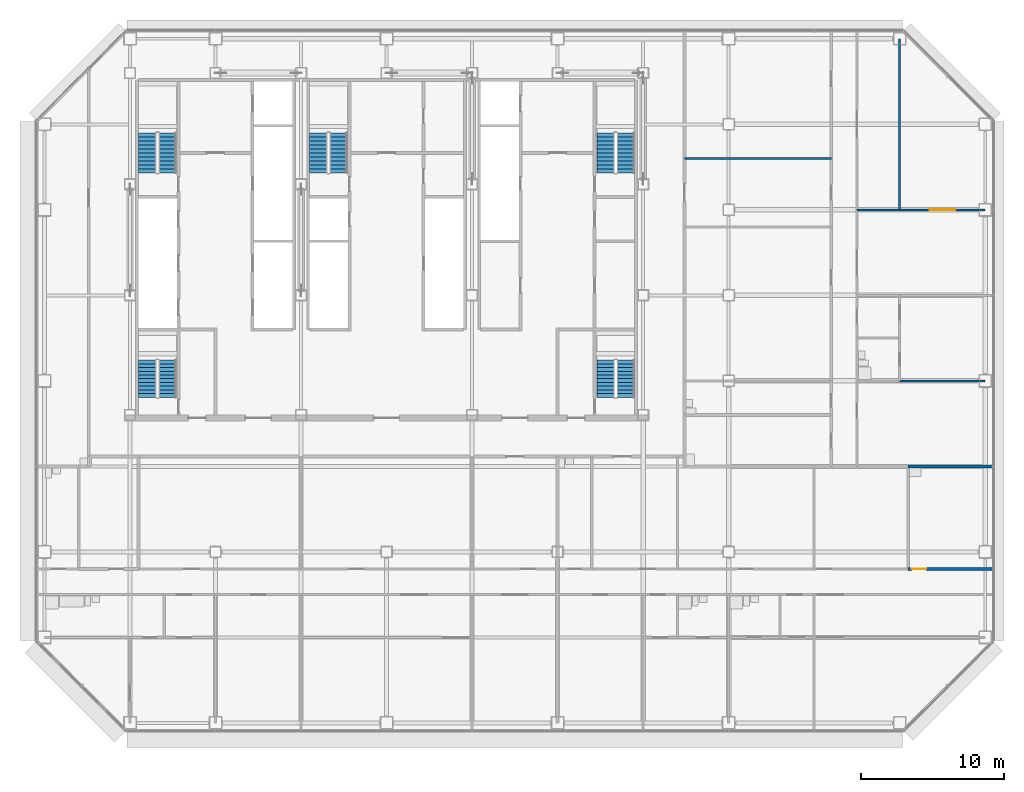
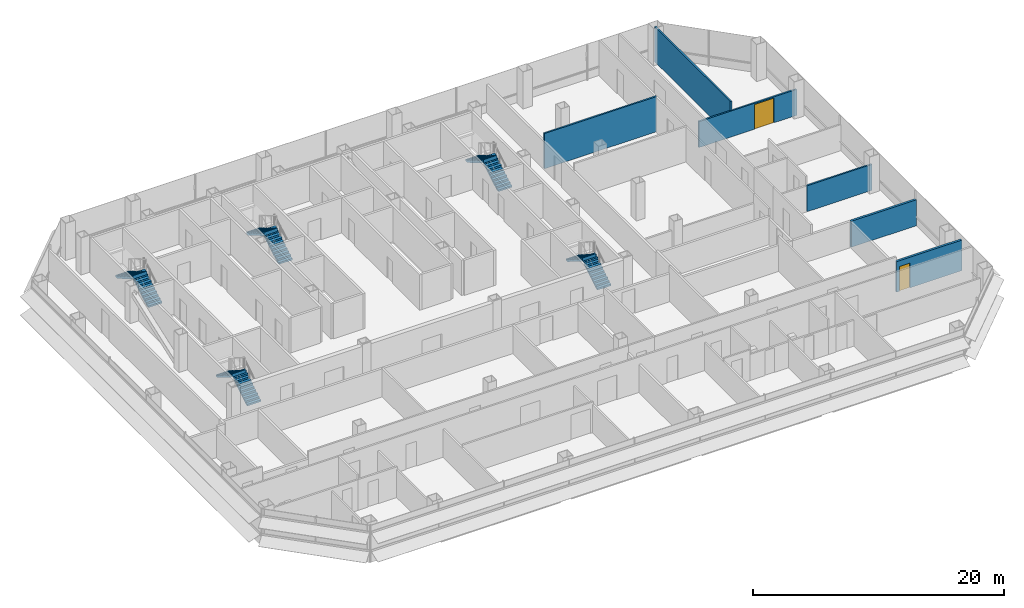
# One storey, part 24 of 27: 10 stair flights, 6 walls, 2 doors, 2 openings, 5 elements without a shape of their own.
"""IFC4 building model written with IfcOpenShell, lengths in metres."""

import ifcopenshell
import ifcopenshell.guid

model = None  # the IFC model being written
_history = None  # IfcOwnerHistory: only IFC2X3 demands one
_inside = {}  # id of a spatial element -> (the spatial element, [elements in it])
_under = {}  # id of a project, library or spatial element -> (it, [spatial elements below it])
_declared = {}  # id of a project -> (the project, [libraries it declares])
_typed = {}  # id of a type object -> (the type object, [elements of that type])
_made_of = {}  # id of a material, layer set ... -> (it, [elements and type objects made of it])


def new_model(schema):
    """Start an empty IFC model of exactly this schema.

    Asked for "IFC4X3", IfcOpenShell would pick the latest addendum, in which some entities
    have other attributes; the version numbers below select the first issue.
    IFC2X3 requires an IfcOwnerHistory on every rooted entity: one is made here for all.
    """
    global model, _history
    if schema == "IFC4X3":
        model = ifcopenshell.file(schema_version=(4, 3, 0, 0))
    else:
        model = ifcopenshell.file(schema=schema)
    _inside.clear()
    _under.clear()
    _declared.clear()
    _typed.clear()
    _made_of.clear()
    _history = None
    if model.schema == "IFC2X3":
        org = make("IfcOrganization", Name="unknown")
        user = make(
            "IfcPersonAndOrganization",
            ThePerson=make("IfcPerson", FamilyName="unknown"),
            TheOrganization=org,
        )
        app = make(
            "IfcApplication",
            ApplicationDeveloper=org,
            Version="unknown",
            ApplicationFullName="unknown",
            ApplicationIdentifier="unknown",
        )
        _history = make(
            "IfcOwnerHistory",
            OwningUser=user,
            OwningApplication=app,
            ChangeAction="ADDED",
            CreationDate=0,
        )
    return model


def make(cls, **values):
    """One entity of the class cls with the attributes given. An attribute that is None is left unset."""
    return model.create_entity(
        cls, **{name: value for name, value in values.items() if value is not None}
    )


def rooted(cls, **values):
    """An entity with a GlobalId (a new one), such as an element, a storey or a relation."""
    return make(cls, GlobalId=ifcopenshell.guid.new(), OwnerHistory=_history, **values)


def si_unit(unit_type, name, prefix=None):
    """IfcSIUnit, for example si_unit("LENGTHUNIT", "METRE", prefix="MILLI")."""
    return make("IfcSIUnit", UnitType=unit_type, Prefix=prefix, Name=name)


def assignment(units):
    """IfcUnitAssignment: the units of a project."""
    return None if units is None else make("IfcUnitAssignment", Units=units)


def point(xyz):
    """IfcCartesianPoint."""
    return None if xyz is None else make("IfcCartesianPoint", Coordinates=xyz)


def direction(xyz):
    """IfcDirection."""
    return None if xyz is None else make("IfcDirection", DirectionRatios=xyz)


def frame(location, z_axis=None, x_axis=None):
    """IfcAxis2Placement3D, a coordinate frame: its origin and axes. An axis left out is left unset."""
    return make(
        "IfcAxis2Placement3D",
        Location=point(location),
        Axis=direction(z_axis),
        RefDirection=direction(x_axis),
    )


def frame_2d(location, x_axis=None):
    """IfcAxis2Placement2D, a coordinate frame in the plane: its origin and x axis."""
    return make(
        "IfcAxis2Placement2D", Location=point(location), RefDirection=direction(x_axis)
    )


def origin():
    """The frame at (0, 0, 0) with its axes left unset."""
    return frame((0.0, 0.0, 0.0))


def place(relative_to, where):
    """IfcLocalPlacement: puts the frame where relative to a parent placement (None: the world)."""
    return make(
        "IfcLocalPlacement", PlacementRelTo=relative_to, RelativePlacement=where
    )


def context(
    kind, dimensions, precision=None, world=None, true_north=None, identifier=None
):
    """IfcGeometricRepresentationContext, for example the 3D "Model" context."""
    return make(
        "IfcGeometricRepresentationContext",
        ContextIdentifier=identifier,
        ContextType=kind,
        CoordinateSpaceDimension=dimensions,
        Precision=precision,
        WorldCoordinateSystem=world,
        TrueNorth=true_north,
    )


def subcontext(parent, identifier, kind, view, scale=None):
    """IfcGeometricRepresentationSubContext, for example "Body" below "Model"."""
    return make(
        "IfcGeometricRepresentationSubContext",
        ContextIdentifier=identifier,
        ContextType=kind,
        ParentContext=parent,
        TargetScale=scale,
        TargetView=view,
    )


def project(units=None, contexts=None):
    """IfcProject with its units and contexts."""
    return rooted(
        "IfcProject",
        Name="project",
        RepresentationContexts=contexts,
        UnitsInContext=assignment(units),
    )


def spatial(cls, under=None, at=None, **own):
    """A site, building, storey or space (cls), placed at a placement, below another one or the project."""
    s = rooted(cls, ObjectPlacement=at, **own)
    if under is not None:
        _under.setdefault(under.id(), (under, []))[1].append(s)
    return s


def polyline(points):
    """IfcPolyline through the points."""
    return make("IfcPolyline", Points=[point(p) for p in points])


def profile(cls, at=None, kind="AREA", **sizes):
    """A parametric profile (cls). Its sizes go by their IFC names, for example OverallWidth=200.0."""
    return make(cls, ProfileType=kind, Position=at, **sizes)


def rectangle(**sizes):
    """IfcRectangleProfileDef."""
    return profile("IfcRectangleProfileDef", **sizes)


def outline(outer, holes=None, kind="AREA"):
    """IfcArbitraryClosedProfileDef: a profile drawn as a closed curve; with holes, ...WithVoids."""
    if holes is None:
        return make("IfcArbitraryClosedProfileDef", ProfileType=kind, OuterCurve=outer)
    return make(
        "IfcArbitraryProfileDefWithVoids",
        ProfileType=kind,
        OuterCurve=outer,
        InnerCurves=holes,
    )


def extrude(swept, where, along, depth):
    """IfcExtrudedAreaSolid: the profile swept, set in the frame where, extruded along a direction by depth."""
    return make(
        "IfcExtrudedAreaSolid",
        SweptArea=swept,
        Position=where,
        ExtrudedDirection=direction(along),
        Depth=depth,
    )


def shape(context_of_items, identifier, shape_type, items):
    """IfcShapeRepresentation: the items that make up one representation, for example the "Body"."""
    return make(
        "IfcShapeRepresentation",
        ContextOfItems=context_of_items,
        RepresentationIdentifier=identifier,
        RepresentationType=shape_type,
        Items=items,
    )


def material(Name=None, Category=None):
    """IfcMaterial."""
    return make("IfcMaterial", Name=Name, Category=Category)


def layer(
    of_material, thickness, ventilated=None, Name=None, Category=None, Priority=None
):
    """IfcMaterialLayer: one layer of a wall or slab, of a material (None: an air gap)."""
    return make(
        "IfcMaterialLayer",
        Material=of_material,
        LayerThickness=thickness,
        IsVentilated=ventilated,
        Name=Name,
        Category=Category,
        Priority=Priority,
    )


def layer_set(layers, Name=None):
    """IfcMaterialLayerSet."""
    return make("IfcMaterialLayerSet", MaterialLayers=layers, LayerSetName=Name)


def made_of(thing, what):
    """Note that an element or type object is made of a material, layer set ...; save() writes the relation."""
    if what is not None:
        _made_of.setdefault(what.id(), (what, []))[1].append(thing)
    return thing


def type_object(cls, material=None, **own):
    """A type object (cls), such as IfcWallType, which elements share."""
    return made_of(rooted(cls, **own), material)


def element(
    cls,
    number,
    at=None,
    inside=None,
    cuts=None,
    type_object=None,
    material=None,
    context=None,
    identifier="Body",
    shape_type=None,
    held_by="IfcProductDefinitionShape",
    body=None,
    shapes=None,
    **own,
):
    """One element of the class cls, such as IfcWall. Its Tag is "e" and its number.

    at: its placement. inside: the storey or other place that contains it. cuts: it is an
    opening in that element (IfcRelVoidsElement). A single representation is given by context,
    identifier, shape_type and body (its items); several are given by shapes. held_by: the class
    of the entity that holds the representations. save() writes the other relations.
    """
    e = rooted(cls, Tag="e%d" % number, ObjectPlacement=at, **own)
    if body is not None:
        shapes = [shape(context, identifier, shape_type, body)]
    if shapes is not None:
        e.Representation = make(held_by, Representations=shapes)
    if inside is not None:
        _inside.setdefault(inside.id(), (inside, []))[1].append(e)
    if cuts is not None:
        rooted(
            "IfcRelVoidsElement", RelatingBuildingElement=cuts, RelatedOpeningElement=e
        )
    if type_object is not None:
        _typed.setdefault(type_object.id(), (type_object, []))[1].append(e)
    return made_of(e, material)


def fill(opening, filler):
    """IfcRelFillsElement: the door or window that sits in an opening."""
    return rooted(
        "IfcRelFillsElement",
        RelatingOpeningElement=opening,
        RelatedBuildingElement=filler,
    )


def aggregate(whole, parts):
    """IfcRelAggregates: a whole, such as a stair, and the parts it consists of."""
    return rooted("IfcRelAggregates", RelatingObject=whole, RelatedObjects=parts)


def save(model, path):
    """Write the relations noted so far, then the file.

    IfcRelAggregates (storeys below a building ...), IfcRelContainedInSpatialStructure (elements
    in a storey), IfcRelDefinesByType, IfcRelAssociatesMaterial and IfcRelDeclares: one each for
    every whole, place, type object, material and project.
    """
    for whole, parts in _under.values():
        aggregate(whole, parts)
    for where, things in _inside.values():
        rooted(
            "IfcRelContainedInSpatialStructure",
            RelatedElements=things,
            RelatingStructure=where,
        )
    for kind, things in _typed.values():
        rooted("IfcRelDefinesByType", RelatedObjects=things, RelatingType=kind)
    for what, things in _made_of.values():
        rooted("IfcRelAssociatesMaterial", RelatedObjects=things, RelatingMaterial=what)
    for by, libraries in _declared.values():
        rooted("IfcRelDeclares", RelatingContext=by, RelatedDefinitions=libraries)
    model.write(path)


model = new_model("IFC4")

# Units and contexts
model_context = context("Model", 3, precision=1e-05, world=origin(), true_north=direction((0.0, 1.0)))
body_context = subcontext(model_context, "Body", "Model", "MODEL_VIEW")
ifc_project = project(units=[si_unit("LENGTHUNIT", "METRE"), si_unit("AREAUNIT", "SQUARE_METRE"), si_unit("VOLUMEUNIT", "CUBIC_METRE"), si_unit("PLANEANGLEUNIT", "RADIAN"), si_unit("MASSUNIT", "GRAM", prefix="KILO")], contexts=[model_context])

# Site, building, storey
site_placement = place(None, origin())
site = spatial("IfcSite", under=ifc_project, at=site_placement, CompositionType="ELEMENT")
building_placement = place(site_placement, origin())
building = spatial("IfcBuilding", under=site, at=building_placement, Name="Sorahane Residences", CompositionType="ELEMENT")
storey_placement = place(building_placement, frame((0.0, 0.0, 49.800048828125)))
storey = spatial("IfcBuildingStorey", under=building, at=storey_placement, Name="L08", CompositionType="ELEMENT", Elevation=49.800048828125)

# Wall, opening, door
ifc_material_1 = material(Name="Concrete blockwork C20 wall", Category="masonry")
ifc_layer_1 = layer(ifc_material_1, 0.199951171875)
ifc_layer_set_1 = layer_set([ifc_layer_1], Name="Kitchen wall 200 EI 180")
wall_type_1 = type_object("IfcWallType", Name="Kitchen wall 200 EI 180", PredefinedType="SOLIDWALL", material=ifc_layer_set_1)
wall_1_placement = place(storey_placement, frame((60.60009765625, 10.800048828125, 0.0), z_axis=(0.0, 0.0, 1.0), x_axis=(1.0, 0.0, 0.0)))
wall_1 = element("IfcWall", 1, at=wall_1_placement, inside=storey, type_object=wall_type_1, Name="L08 kitchen wall", PredefinedType="SOLIDWALL", context=body_context, shape_type="SweptSolid", body=[
    extrude(rectangle(XDim=6.0, YDim=0.199951171875, at=frame_2d((3.0, 0.0))), origin(), (0.0, 0.0, 1.0), 2.969970703125),
])
opening_1_placement = place(wall_1_placement, frame((0.25, 0.0, 0.0)))
opening_1 = element("IfcOpeningElement", 2, at=opening_1_placement, cuts=wall_1, Name="Opening L08-18", PredefinedType="OPENING", context=body_context, shape_type="SweptSolid", body=[
    extrude(rectangle(XDim=1.0, YDim=2.39990234375, at=frame_2d((0.5, 1.199951171875))), frame((0.0, 0.10986328125, 0.0), z_axis=(0.0, -1.0, 0.0), x_axis=(1.0, 0.0, 0.0)), (0.0, 0.0, 1.0), 0.219970703125),
])
ifc_material_2 = material(Name="Steel", Category="steel")
door_type_1 = type_object("IfcDoorType", Name="Kitchen door 1000x2400 FD120", OperationType="NOTDEFINED", PredefinedType="DOOR", material=ifc_material_2)
door_1_placement = place(opening_1_placement, origin())
door_1 = element("IfcDoor", 3, at=door_1_placement, inside=storey, type_object=door_type_1, Name="Kitchen door L08-18", OperationType="SINGLE_SWING_RIGHT", OverallHeight=2.39990234375, OverallWidth=1.0, PredefinedType="DOOR", context=body_context, shape_type="SweptSolid", body=[
    extrude(rectangle(XDim=1.0, YDim=2.39990234375, at=frame_2d((0.5, 1.199951171875))), frame((0.0, 0.02490234375, 0.0), z_axis=(0.0, -1.0, 0.0), x_axis=(1.0, 0.0, 0.0)), (0.0, 0.0, 1.0), 0.050048828125),
])
fill(opening_1, door_1)

# Walls
wall_2_placement = place(storey_placement, frame((60.60009765625, 18.0, 0.0), z_axis=(0.0, 0.0, 1.0), x_axis=(1.0, 0.0, 0.0)))
element("IfcWall", 4, at=wall_2_placement, inside=storey, type_object=wall_type_1, Name="L08 kitchen wall", PredefinedType="SOLIDWALL", context=body_context, shape_type="SweptSolid", body=[
    extrude(rectangle(XDim=6.0, YDim=0.199951171875, at=frame_2d((3.0, 0.0))), origin(), (0.0, 0.0, 1.0), 2.52001953125),
])
ifc_material_3 = material(Name="Gypsum board partition on steel studs", Category="steel")
ifc_layer_2 = layer(ifc_material_3, 0.14990234375)
ifc_layer_set_2 = layer_set([ifc_layer_2], Name="Partition 150 EI 90")
wall_type_2 = type_object("IfcWallType", Name="Partition 150 EI 90", PredefinedType="PARTITIONING", material=ifc_layer_set_2)
wall_3_placement = place(storey_placement, frame((60.0, 36.0, 0.0), z_axis=(0.0, 0.0, 1.0), x_axis=(0.0, 1.0, 0.0)))
element("IfcWall", 5, at=wall_3_placement, inside=storey, type_object=wall_type_2, Name="L08 partition", PredefinedType="PARTITIONING", context=body_context, shape_type="SweptSolid", body=[
    extrude(rectangle(XDim=12.0, YDim=0.14990234375, at=frame_2d((6.0, 0.0))), origin(), (0.0, 0.0, 1.0), 3.419921875),
])
wall_4_placement = place(storey_placement, frame((60.0, 24.0, 0.0), z_axis=(0.0, 0.0, 1.0), x_axis=(1.0, 0.0, 0.0)))
element("IfcWall", 6, at=wall_4_placement, inside=storey, type_object=wall_type_2, Name="L08 partition", PredefinedType="PARTITIONING", context=body_context, shape_type="SweptSolid", body=[
    extrude(rectangle(XDim=6.0, YDim=0.14990234375, at=frame_2d((3.0, 0.0))), origin(), (0.0, 0.0, 1.0), 2.52001953125),
])

# Wall, opening, door
wall_5_placement = place(storey_placement, frame((57.0, 36.0, 0.0), z_axis=(0.0, 0.0, 1.0), x_axis=(1.0, 0.0, 0.0)))
wall_5 = element("IfcWall", 7, at=wall_5_placement, inside=storey, type_object=wall_type_2, Name="L08 partition", PredefinedType="PARTITIONING", context=body_context, shape_type="SweptSolid", body=[
    extrude(rectangle(XDim=9.0, YDim=0.14990234375, at=frame_2d((4.5, 0.0))), origin(), (0.0, 0.0, 1.0), 2.52001953125),
])
opening_2_placement = place(wall_5_placement, frame((5.10009765625, 0.0, 0.0)))
opening_2 = element("IfcOpeningElement", 8, at=opening_2_placement, cuts=wall_5, Name="Opening L08-36", PredefinedType="OPENING", context=body_context, shape_type="SweptSolid", body=[
    extrude(rectangle(XDim=1.800048828125, YDim=2.39990234375, at=frame_2d((0.89990234375, 1.199951171875))), frame((0.0, 0.0849609375, 0.0), z_axis=(0.0, -1.0, 0.0), x_axis=(1.0, 0.0, 0.0)), (0.0, 0.0, 1.0), 0.169921875),
])
ifc_material_4 = material(Name="Timber veneered fire door", Category="wood")
door_type_2 = type_object("IfcDoorType", Name="Double door 1800x2400 FD30", OperationType="NOTDEFINED", PredefinedType="DOOR", material=ifc_material_4)
door_2_placement = place(opening_2_placement, origin())
door_2 = element("IfcDoor", 9, at=door_2_placement, inside=storey, type_object=door_type_2, Name="Double door L08-36", OperationType="SINGLE_SWING_LEFT", OverallHeight=2.39990234375, OverallWidth=1.800048828125, PredefinedType="DOOR", context=body_context, shape_type="SweptSolid", body=[
    extrude(rectangle(XDim=1.800048828125, YDim=2.39990234375, at=frame_2d((0.89990234375, 1.199951171875))), frame((0.0, 0.02490234375, 0.0), z_axis=(0.0, -1.0, 0.0), x_axis=(1.0, 0.0, 0.0)), (0.0, 0.0, 1.0), 0.050048828125),
])
fill(opening_2, door_2)

# Wall
wall_6_placement = place(storey_placement, frame((44.89990234375, 39.60009765625, 0.0), z_axis=(0.0, 0.0, 1.0), x_axis=(1.0, 0.0, 0.0)))
element("IfcWall", 10, at=wall_6_placement, inside=storey, type_object=wall_type_2, Name="L08 partition", PredefinedType="PARTITIONING", context=body_context, shape_type="SweptSolid", body=[
    extrude(rectangle(XDim=10.300048828125, YDim=0.14990234375, at=frame_2d((5.14990234375, 0.0))), origin(), (0.0, 0.0, 1.0), 3.419921875),
])

# Stair, stair flights
ifc_material_5 = material(Name="Concrete C40", Category="concrete")
stair_type = type_object("IfcStairType", Name="Dog-leg stair 1250 Concrete C40", PredefinedType="HALF_TURN_STAIR", material=ifc_material_5)
stair_1_placement = place(storey_placement, origin())
stair_1 = element("IfcStair", 11, at=stair_1_placement, inside=storey, type_object=stair_type, Name="L08 Stair S1", PredefinedType="HALF_TURN_STAIR")
ifc_material_6 = material(Name="Concrete C40", Category="concrete")
stair_flight_type = type_object("IfcStairFlightType", Name="Stair flight 1250 Concrete C40", PredefinedType="STRAIGHT", material=ifc_material_6)
stair_flight_1_placement = place(storey_placement, frame((8.625, 38.60009765625, 0.0), z_axis=(0.0, 0.0, 1.0), x_axis=(0.0, 1.0, 0.0)))
stair_flight_1 = element("IfcStairFlight", 12, at=stair_flight_1_placement, type_object=stair_flight_type, Name="S1 flight 1", NumberOfRisers=11, NumberOfTreads=10, PredefinedType="STRAIGHT", RiserHeight=0.163636364, TreadLength=0.28, context=body_context, shape_type="SweptSolid", body=[
    extrude(outline(polyline([(-0.00146484375, 0.0), (-0.00146484375, 0.16357421875), (0.0, 0.16357421875), (0.280029296875, 0.16357421875), (0.280029296875, 0.327392578125), (0.56005859375, 0.327392578125), (0.56005859375, 0.490966796875), (0.840087890625, 0.490966796875), (0.840087890625, 0.654541015625), (1.1201171875, 0.654541015625), (1.1201171875, 0.818115234375), (1.39990234375, 0.818115234375), (1.39990234375, 0.98193359375), (1.679931640625, 0.98193359375), (1.679931640625, 1.1455078125), (1.9599609375, 1.1455078125), (1.9599609375, 1.30908203125), (2.239990234375, 1.30908203125), (2.239990234375, 1.47265625), (2.52001953125, 1.47265625), (2.52001953125, 1.636474609375), (2.800048828125, 1.636474609375), (2.800048828125, 1.800048828125), (2.800048828125, 1.462646484375), (2.59130859375, 1.3408203125), (2.3828125, 1.218994140625), (2.17431640625, 1.09716796875), (1.965576171875, 0.97509765625), (1.757080078125, 0.853271484375), (1.548583984375, 0.7314453125), (1.340087890625, 0.609375), (1.13134765625, 0.487548828125), (0.9228515625, 0.36572265625), (0.71435546875, 0.243896484375), (0.505615234375, 0.121826171875), (0.297119140625, 0.0), (-0.00146484375, 0.0)])), frame((0.0, 0.625, 0.0), z_axis=(0.0, -1.0, 0.0), x_axis=(1.0, 0.0, 0.0)), (0.0, 0.0, 1.0), 1.25),
])
stair_flight_2_placement = place(storey_placement, frame((7.22509765625, 41.39990234375, 1.800048828125), z_axis=(0.0, 0.0, 1.0), x_axis=(0.0, -1.0, 0.0)))
stair_flight_2 = element("IfcStairFlight", 13, at=stair_flight_2_placement, type_object=stair_flight_type, Name="S1 flight 2", NumberOfRisers=11, NumberOfTreads=10, PredefinedType="STRAIGHT", RiserHeight=0.163636364, TreadLength=0.28, context=body_context, shape_type="SweptSolid", body=[
    extrude(outline(polyline([(0.0, 0.0), (0.0, 0.16357421875), (0.280029296875, 0.16357421875), (0.280029296875, 0.327392578125), (0.56005859375, 0.327392578125), (0.56005859375, 0.490966796875), (0.840087890625, 0.490966796875), (0.840087890625, 0.654541015625), (1.1201171875, 0.654541015625), (1.1201171875, 0.818115234375), (1.39990234375, 0.818115234375), (1.39990234375, 0.98193359375), (1.679931640625, 0.98193359375), (1.679931640625, 1.1455078125), (1.9599609375, 1.1455078125), (1.9599609375, 1.30908203125), (2.239990234375, 1.30908203125), (2.239990234375, 1.47265625), (2.52001953125, 1.47265625), (2.52001953125, 1.636474609375), (2.800048828125, 1.636474609375), (2.800048828125, 1.800048828125), (2.801513671875, 1.800048828125), (2.801513671875, 1.462646484375), (2.5927734375, 1.3408203125), (2.384033203125, 1.218994140625), (2.17529296875, 1.09716796875), (1.966796875, 0.97509765625), (1.758056640625, 0.853271484375), (1.54931640625, 0.7314453125), (1.340576171875, 0.609375), (1.1318359375, 0.487548828125), (0.923095703125, 0.36572265625), (0.714599609375, 0.243896484375), (0.505859375, 0.121826171875), (0.297119140625, 0.0), (0.0, 0.0)])), frame((0.0, 0.625, 0.0), z_axis=(0.0, -1.0, 0.0), x_axis=(1.0, 0.0, 0.0)), (0.0, 0.0, 1.0), 1.25),
])
aggregate(stair_1, [stair_flight_1, stair_flight_2])

stair_2_placement = place(storey_placement, origin())
stair_2 = element("IfcStair", 14, at=stair_2_placement, inside=storey, type_object=stair_type, Name="L08 Stair S2", PredefinedType="HALF_TURN_STAIR")
stair_flight_3_placement = place(storey_placement, frame((40.77490234375, 38.60009765625, 0.0), z_axis=(0.0, 0.0, 1.0), x_axis=(0.0, 1.0, 0.0)))
stair_flight_3 = element("IfcStairFlight", 15, at=stair_flight_3_placement, type_object=stair_flight_type, Name="S2 flight 1", NumberOfRisers=11, NumberOfTreads=10, PredefinedType="STRAIGHT", RiserHeight=0.163636364, TreadLength=0.28, context=body_context, shape_type="SweptSolid", body=[
    extrude(outline(polyline([(-0.00146484375, 0.0), (-0.00146484375, 0.16357421875), (0.0, 0.16357421875), (0.280029296875, 0.16357421875), (0.280029296875, 0.327392578125), (0.56005859375, 0.327392578125), (0.56005859375, 0.490966796875), (0.840087890625, 0.490966796875), (0.840087890625, 0.654541015625), (1.1201171875, 0.654541015625), (1.1201171875, 0.818115234375), (1.39990234375, 0.818115234375), (1.39990234375, 0.98193359375), (1.679931640625, 0.98193359375), (1.679931640625, 1.1455078125), (1.9599609375, 1.1455078125), (1.9599609375, 1.30908203125), (2.239990234375, 1.30908203125), (2.239990234375, 1.47265625), (2.52001953125, 1.47265625), (2.52001953125, 1.636474609375), (2.800048828125, 1.636474609375), (2.800048828125, 1.800048828125), (2.800048828125, 1.462646484375), (2.59130859375, 1.3408203125), (2.3828125, 1.218994140625), (2.17431640625, 1.09716796875), (1.965576171875, 0.97509765625), (1.757080078125, 0.853271484375), (1.548583984375, 0.7314453125), (1.340087890625, 0.609375), (1.13134765625, 0.487548828125), (0.9228515625, 0.36572265625), (0.71435546875, 0.243896484375), (0.505615234375, 0.121826171875), (0.297119140625, 0.0), (-0.00146484375, 0.0)])), frame((0.0, 0.625, 0.0), z_axis=(0.0, -1.0, 0.0), x_axis=(1.0, 0.0, 0.0)), (0.0, 0.0, 1.0), 1.25),
])
stair_flight_4_placement = place(storey_placement, frame((39.375, 41.39990234375, 1.800048828125), z_axis=(0.0, 0.0, 1.0), x_axis=(0.0, -1.0, 0.0)))
stair_flight_4 = element("IfcStairFlight", 16, at=stair_flight_4_placement, type_object=stair_flight_type, Name="S2 flight 2", NumberOfRisers=11, NumberOfTreads=10, PredefinedType="STRAIGHT", RiserHeight=0.163636364, TreadLength=0.28, context=body_context, shape_type="SweptSolid", body=[
    extrude(outline(polyline([(0.0, 0.0), (0.0, 0.16357421875), (0.280029296875, 0.16357421875), (0.280029296875, 0.327392578125), (0.56005859375, 0.327392578125), (0.56005859375, 0.490966796875), (0.840087890625, 0.490966796875), (0.840087890625, 0.654541015625), (1.1201171875, 0.654541015625), (1.1201171875, 0.818115234375), (1.39990234375, 0.818115234375), (1.39990234375, 0.98193359375), (1.679931640625, 0.98193359375), (1.679931640625, 1.1455078125), (1.9599609375, 1.1455078125), (1.9599609375, 1.30908203125), (2.239990234375, 1.30908203125), (2.239990234375, 1.47265625), (2.52001953125, 1.47265625), (2.52001953125, 1.636474609375), (2.800048828125, 1.636474609375), (2.800048828125, 1.800048828125), (2.801513671875, 1.800048828125), (2.801513671875, 1.462646484375), (2.5927734375, 1.3408203125), (2.384033203125, 1.218994140625), (2.17529296875, 1.09716796875), (1.966796875, 0.97509765625), (1.758056640625, 0.853271484375), (1.54931640625, 0.7314453125), (1.340576171875, 0.609375), (1.1318359375, 0.487548828125), (0.923095703125, 0.36572265625), (0.714599609375, 0.243896484375), (0.505859375, 0.121826171875), (0.297119140625, 0.0), (0.0, 0.0)])), frame((0.0, 0.625, 0.0), z_axis=(0.0, -1.0, 0.0), x_axis=(1.0, 0.0, 0.0)), (0.0, 0.0, 1.0), 1.25),
])
aggregate(stair_2, [stair_flight_3, stair_flight_4])

stair_3_placement = place(storey_placement, origin())
stair_3 = element("IfcStair", 17, at=stair_3_placement, inside=storey, type_object=stair_type, Name="L08 Stair S3", PredefinedType="HALF_TURN_STAIR")
stair_flight_5_placement = place(storey_placement, frame((20.625, 38.60009765625, 0.0), z_axis=(0.0, 0.0, 1.0), x_axis=(0.0, 1.0, 0.0)))
stair_flight_5 = element("IfcStairFlight", 18, at=stair_flight_5_placement, type_object=stair_flight_type, Name="S3 flight 1", NumberOfRisers=11, NumberOfTreads=10, PredefinedType="STRAIGHT", RiserHeight=0.163636364, TreadLength=0.28, context=body_context, shape_type="SweptSolid", body=[
    extrude(outline(polyline([(-0.00146484375, 0.0), (-0.00146484375, 0.16357421875), (0.0, 0.16357421875), (0.280029296875, 0.16357421875), (0.280029296875, 0.327392578125), (0.56005859375, 0.327392578125), (0.56005859375, 0.490966796875), (0.840087890625, 0.490966796875), (0.840087890625, 0.654541015625), (1.1201171875, 0.654541015625), (1.1201171875, 0.818115234375), (1.39990234375, 0.818115234375), (1.39990234375, 0.98193359375), (1.679931640625, 0.98193359375), (1.679931640625, 1.1455078125), (1.9599609375, 1.1455078125), (1.9599609375, 1.30908203125), (2.239990234375, 1.30908203125), (2.239990234375, 1.47265625), (2.52001953125, 1.47265625), (2.52001953125, 1.636474609375), (2.800048828125, 1.636474609375), (2.800048828125, 1.800048828125), (2.800048828125, 1.462646484375), (2.59130859375, 1.3408203125), (2.3828125, 1.218994140625), (2.17431640625, 1.09716796875), (1.965576171875, 0.97509765625), (1.757080078125, 0.853271484375), (1.548583984375, 0.7314453125), (1.340087890625, 0.609375), (1.13134765625, 0.487548828125), (0.9228515625, 0.36572265625), (0.71435546875, 0.243896484375), (0.505615234375, 0.121826171875), (0.297119140625, 0.0), (-0.00146484375, 0.0)])), frame((0.0, 0.625, 0.0), z_axis=(0.0, -1.0, 0.0), x_axis=(1.0, 0.0, 0.0)), (0.0, 0.0, 1.0), 1.25),
])
stair_flight_6_placement = place(storey_placement, frame((19.22509765625, 41.39990234375, 1.800048828125), z_axis=(0.0, 0.0, 1.0), x_axis=(0.0, -1.0, 0.0)))
stair_flight_6 = element("IfcStairFlight", 19, at=stair_flight_6_placement, type_object=stair_flight_type, Name="S3 flight 2", NumberOfRisers=11, NumberOfTreads=10, PredefinedType="STRAIGHT", RiserHeight=0.163636364, TreadLength=0.28, context=body_context, shape_type="SweptSolid", body=[
    extrude(outline(polyline([(0.0, 0.0), (0.0, 0.16357421875), (0.280029296875, 0.16357421875), (0.280029296875, 0.327392578125), (0.56005859375, 0.327392578125), (0.56005859375, 0.490966796875), (0.840087890625, 0.490966796875), (0.840087890625, 0.654541015625), (1.1201171875, 0.654541015625), (1.1201171875, 0.818115234375), (1.39990234375, 0.818115234375), (1.39990234375, 0.98193359375), (1.679931640625, 0.98193359375), (1.679931640625, 1.1455078125), (1.9599609375, 1.1455078125), (1.9599609375, 1.30908203125), (2.239990234375, 1.30908203125), (2.239990234375, 1.47265625), (2.52001953125, 1.47265625), (2.52001953125, 1.636474609375), (2.800048828125, 1.636474609375), (2.800048828125, 1.800048828125), (2.801513671875, 1.800048828125), (2.801513671875, 1.462646484375), (2.5927734375, 1.3408203125), (2.384033203125, 1.218994140625), (2.17529296875, 1.09716796875), (1.966796875, 0.97509765625), (1.758056640625, 0.853271484375), (1.54931640625, 0.7314453125), (1.340576171875, 0.609375), (1.1318359375, 0.487548828125), (0.923095703125, 0.36572265625), (0.714599609375, 0.243896484375), (0.505859375, 0.121826171875), (0.297119140625, 0.0), (0.0, 0.0)])), frame((0.0, 0.625, 0.0), z_axis=(0.0, -1.0, 0.0), x_axis=(1.0, 0.0, 0.0)), (0.0, 0.0, 1.0), 1.25),
])
aggregate(stair_3, [stair_flight_5, stair_flight_6])

stair_4_placement = place(storey_placement, origin())
stair_4 = element("IfcStair", 20, at=stair_4_placement, inside=storey, type_object=stair_type, Name="L08 Stair S4", PredefinedType="HALF_TURN_STAIR")
stair_flight_7_placement = place(storey_placement, frame((8.625, 22.85009765625, 0.0), z_axis=(0.0, 0.0, 1.0), x_axis=(0.0, 1.0, 0.0)))
stair_flight_7 = element("IfcStairFlight", 21, at=stair_flight_7_placement, type_object=stair_flight_type, Name="S4 flight 1", NumberOfRisers=11, NumberOfTreads=10, PredefinedType="STRAIGHT", RiserHeight=0.163636364, TreadLength=0.26, context=body_context, shape_type="SweptSolid", body=[
    extrude(outline(polyline([(-0.00146484375, 0.0), (-0.00146484375, 0.16357421875), (0.0, 0.16357421875), (0.260009765625, 0.16357421875), (0.260009765625, 0.327392578125), (0.52001953125, 0.327392578125), (0.52001953125, 0.490966796875), (0.780029296875, 0.490966796875), (0.780029296875, 0.654541015625), (1.0400390625, 0.654541015625), (1.0400390625, 0.818115234375), (1.300048828125, 0.818115234375), (1.300048828125, 0.98193359375), (1.56005859375, 0.98193359375), (1.56005859375, 1.1455078125), (1.820068359375, 1.1455078125), (1.820068359375, 1.30908203125), (2.080078125, 1.30908203125), (2.080078125, 1.47265625), (2.340087890625, 1.47265625), (2.340087890625, 1.636474609375), (2.60009765625, 1.636474609375), (2.60009765625, 1.800048828125), (2.60009765625, 1.494384765625), (2.402099609375, 1.369873046875), (2.204345703125, 1.245361328125), (2.00634765625, 1.120849609375), (1.80859375, 0.996337890625), (1.610595703125, 0.871826171875), (1.412841796875, 0.747314453125), (1.21484375, 0.622802734375), (1.01708984375, 0.498046875), (0.819091796875, 0.37353515625), (0.621337890625, 0.2490234375), (0.42333984375, 0.12451171875), (0.2255859375, 0.0), (-0.00146484375, 0.0)])), frame((0.0, 0.625, 0.0), z_axis=(0.0, -1.0, 0.0), x_axis=(1.0, 0.0, 0.0)), (0.0, 0.0, 1.0), 1.25),
])
stair_flight_8_placement = place(storey_placement, frame((7.22509765625, 25.449951171875, 1.800048828125), z_axis=(0.0, 0.0, 1.0), x_axis=(0.0, -1.0, 0.0)))
stair_flight_8 = element("IfcStairFlight", 22, at=stair_flight_8_placement, type_object=stair_flight_type, Name="S4 flight 2", NumberOfRisers=11, NumberOfTreads=10, PredefinedType="STRAIGHT", RiserHeight=0.163636364, TreadLength=0.26, context=body_context, shape_type="SweptSolid", body=[
    extrude(outline(polyline([(0.0, 0.0), (0.0, 0.16357421875), (0.260009765625, 0.16357421875), (0.260009765625, 0.327392578125), (0.52001953125, 0.327392578125), (0.52001953125, 0.490966796875), (0.780029296875, 0.490966796875), (0.780029296875, 0.654541015625), (1.0400390625, 0.654541015625), (1.0400390625, 0.818115234375), (1.300048828125, 0.818115234375), (1.300048828125, 0.98193359375), (1.56005859375, 0.98193359375), (1.56005859375, 1.1455078125), (1.820068359375, 1.1455078125), (1.820068359375, 1.30908203125), (2.080078125, 1.30908203125), (2.080078125, 1.47265625), (2.340087890625, 1.47265625), (2.340087890625, 1.636474609375), (2.60009765625, 1.636474609375), (2.60009765625, 1.800048828125), (2.6015625, 1.800048828125), (2.6015625, 1.494384765625), (2.403564453125, 1.369873046875), (2.20556640625, 1.245361328125), (2.007568359375, 1.120849609375), (1.8095703125, 0.996337890625), (1.611572265625, 0.871826171875), (1.41357421875, 0.747314453125), (1.215576171875, 0.622802734375), (1.017578125, 0.498046875), (0.819580078125, 0.37353515625), (0.62158203125, 0.2490234375), (0.423583984375, 0.12451171875), (0.2255859375, 0.0), (0.0, 0.0)])), frame((0.0, 0.625, 0.0), z_axis=(0.0, -1.0, 0.0), x_axis=(1.0, 0.0, 0.0)), (0.0, 0.0, 1.0), 1.25),
])
aggregate(stair_4, [stair_flight_7, stair_flight_8])

stair_5_placement = place(storey_placement, origin())
stair_5 = element("IfcStair", 23, at=stair_5_placement, inside=storey, type_object=stair_type, Name="L08 Stair S5", PredefinedType="HALF_TURN_STAIR")
stair_flight_9_placement = place(storey_placement, frame((40.77490234375, 22.85009765625, 0.0), z_axis=(0.0, 0.0, 1.0), x_axis=(0.0, 1.0, 0.0)))
stair_flight_9 = element("IfcStairFlight", 24, at=stair_flight_9_placement, type_object=stair_flight_type, Name="S5 flight 1", NumberOfRisers=11, NumberOfTreads=10, PredefinedType="STRAIGHT", RiserHeight=0.163636364, TreadLength=0.26, context=body_context, shape_type="SweptSolid", body=[
    extrude(outline(polyline([(-0.00146484375, 0.0), (-0.00146484375, 0.16357421875), (0.0, 0.16357421875), (0.260009765625, 0.16357421875), (0.260009765625, 0.327392578125), (0.52001953125, 0.327392578125), (0.52001953125, 0.490966796875), (0.780029296875, 0.490966796875), (0.780029296875, 0.654541015625), (1.0400390625, 0.654541015625), (1.0400390625, 0.818115234375), (1.300048828125, 0.818115234375), (1.300048828125, 0.98193359375), (1.56005859375, 0.98193359375), (1.56005859375, 1.1455078125), (1.820068359375, 1.1455078125), (1.820068359375, 1.30908203125), (2.080078125, 1.30908203125), (2.080078125, 1.47265625), (2.340087890625, 1.47265625), (2.340087890625, 1.636474609375), (2.60009765625, 1.636474609375), (2.60009765625, 1.800048828125), (2.60009765625, 1.494384765625), (2.402099609375, 1.369873046875), (2.204345703125, 1.245361328125), (2.00634765625, 1.120849609375), (1.80859375, 0.996337890625), (1.610595703125, 0.871826171875), (1.412841796875, 0.747314453125), (1.21484375, 0.622802734375), (1.01708984375, 0.498046875), (0.819091796875, 0.37353515625), (0.621337890625, 0.2490234375), (0.42333984375, 0.12451171875), (0.2255859375, 0.0), (-0.00146484375, 0.0)])), frame((0.0, 0.625, 0.0), z_axis=(0.0, -1.0, 0.0), x_axis=(1.0, 0.0, 0.0)), (0.0, 0.0, 1.0), 1.25),
])
stair_flight_10_placement = place(storey_placement, frame((39.375, 25.449951171875, 1.800048828125), z_axis=(0.0, 0.0, 1.0), x_axis=(0.0, -1.0, 0.0)))
stair_flight_10 = element("IfcStairFlight", 25, at=stair_flight_10_placement, type_object=stair_flight_type, Name="S5 flight 2", NumberOfRisers=11, NumberOfTreads=10, PredefinedType="STRAIGHT", RiserHeight=0.163636364, TreadLength=0.26, context=body_context, shape_type="SweptSolid", body=[
    extrude(outline(polyline([(0.0, 0.0), (0.0, 0.16357421875), (0.260009765625, 0.16357421875), (0.260009765625, 0.327392578125), (0.52001953125, 0.327392578125), (0.52001953125, 0.490966796875), (0.780029296875, 0.490966796875), (0.780029296875, 0.654541015625), (1.0400390625, 0.654541015625), (1.0400390625, 0.818115234375), (1.300048828125, 0.818115234375), (1.300048828125, 0.98193359375), (1.56005859375, 0.98193359375), (1.56005859375, 1.1455078125), (1.820068359375, 1.1455078125), (1.820068359375, 1.30908203125), (2.080078125, 1.30908203125), (2.080078125, 1.47265625), (2.340087890625, 1.47265625), (2.340087890625, 1.636474609375), (2.60009765625, 1.636474609375), (2.60009765625, 1.800048828125), (2.6015625, 1.800048828125), (2.6015625, 1.494384765625), (2.403564453125, 1.369873046875), (2.20556640625, 1.245361328125), (2.007568359375, 1.120849609375), (1.8095703125, 0.996337890625), (1.611572265625, 0.871826171875), (1.41357421875, 0.747314453125), (1.215576171875, 0.622802734375), (1.017578125, 0.498046875), (0.819580078125, 0.37353515625), (0.62158203125, 0.2490234375), (0.423583984375, 0.12451171875), (0.2255859375, 0.0), (0.0, 0.0)])), frame((0.0, 0.625, 0.0), z_axis=(0.0, -1.0, 0.0), x_axis=(1.0, 0.0, 0.0)), (0.0, 0.0, 1.0), 1.25),
])
aggregate(stair_5, [stair_flight_9, stair_flight_10])

save(model, "model.ifc")
